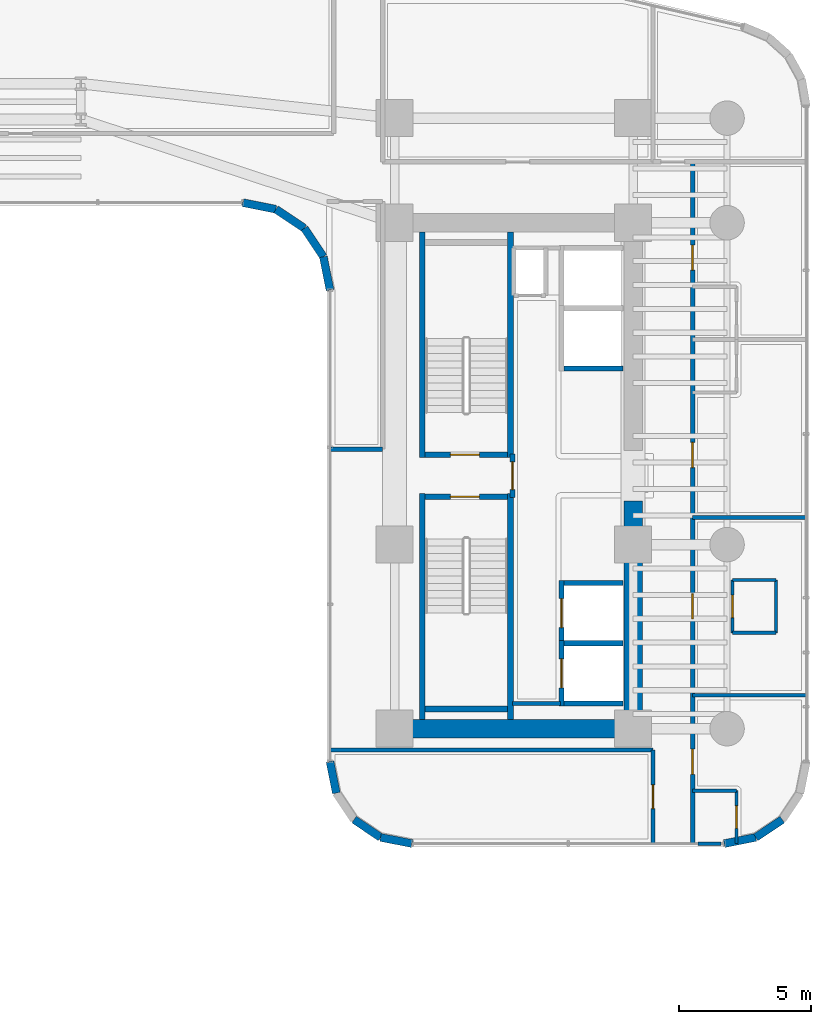
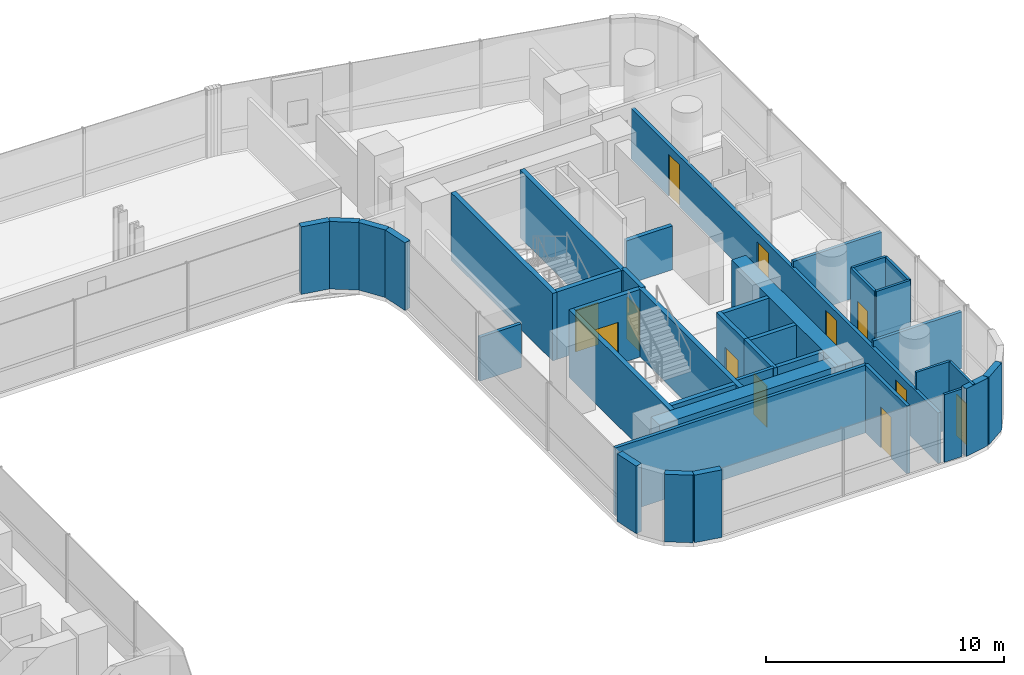
# One storey, part 31 of 39: 39 walls, 12 doors, 12 openings.
"""IFC4 building model written with IfcOpenShell, lengths in metres."""

from ifc_helpers import new_model, si_unit, direction, frame, frame_2d, origin, place, context, subcontext, project, spatial, rectangle, extrude, material, layer, layer_set, type_object, element, fill, save


model = new_model("IFC4")

# Units and contexts
model_context = context("Model", 3, precision=1e-05, world=origin(), true_north=direction((0.0, 1.0)))
body_context = subcontext(model_context, "Body", "Model", "MODEL_VIEW")
ifc_project = project(units=[si_unit("LENGTHUNIT", "METRE"), si_unit("AREAUNIT", "SQUARE_METRE"), si_unit("VOLUMEUNIT", "CUBIC_METRE"), si_unit("PLANEANGLEUNIT", "RADIAN"), si_unit("MASSUNIT", "GRAM", prefix="KILO")], contexts=[model_context])

# Site, building, storey
site_placement = place(None, origin())
site = spatial("IfcSite", under=ifc_project, at=site_placement, CompositionType="ELEMENT")
building_placement = place(site_placement, origin())
building = spatial("IfcBuilding", under=site, at=building_placement, Name="Valdorenza Pilgrim Sanctuary Tower", CompositionType="ELEMENT")
storey_placement = place(building_placement, frame((0.0, 0.0, 74.10009765625)))
storey = spatial("IfcBuildingStorey", under=building, at=storey_placement, Name="L18", CompositionType="ELEMENT", Elevation=74.10009765625)

# Wall
ifc_material_1 = material(Name="Acoustic twin-stud gypsum partition", Category="gypsum")
ifc_layer_1 = layer(ifc_material_1, 0.159912109375, Name="Acoustic twin-stud gypsum partition")
ifc_layer_set_1 = layer_set([ifc_layer_1], Name="Acoustic twin-stud gypsum partition")
wall_type_1 = type_object("IfcWallType", Name="WAL-COR-160", PredefinedType="PARTITIONING", material=ifc_layer_set_1)
wall_1_placement = place(storey_placement, frame((20.300048828125, -8.60009765625, 0.0), z_axis=(0.0, 0.0, 1.0), x_axis=(1.0, 0.0, 0.0)))
element("IfcWall", 1, at=wall_1_placement, inside=storey, type_object=wall_type_1, Name="L18 Core B Lift Hall South End Wall", PredefinedType="PARTITIONING", context=body_context, shape_type="SweptSolid", body=[
    extrude(rectangle(XDim=1.820068359375, YDim=0.159912109375, at=frame_2d((0.91015625, 0.0))), origin(), (0.0, 0.0, 1.0), 3.4599609375),
])

# Wall, opening, door
wall_2_placement = place(storey_placement, frame((25.60009765625, -13.889892578125, 0.0), z_axis=(0.0, 0.0, 1.0), x_axis=(0.0, 1.0, 0.0)))
wall_2 = element("IfcWall", 2, at=wall_2_placement, inside=storey, type_object=wall_type_1, Name="L18 Wing B South-East Corridor Wall", PredefinedType="PARTITIONING", context=body_context, shape_type="SweptSolid", body=[
    extrude(rectangle(XDim=3.539794921875, YDim=0.159912109375, at=frame_2d((1.77001953125, 0.0))), origin(), (0.0, 0.0, 1.0), 3.4599609375),
])
opening_1_placement = place(wall_2_placement, frame((1.320068359375, 0.0, 0.0)))
opening_1 = element("IfcOpeningElement", 3, at=opening_1_placement, cuts=wall_2, Name="Opening DR-RM1", PredefinedType="OPENING", context=body_context, shape_type="SweptSolid", body=[
    extrude(rectangle(XDim=0.89990234375, YDim=2.10009765625, at=frame_2d((0.449951171875, 1.050048828125))), frame((0.0, 0.0947265625, 0.0), z_axis=(0.0, -1.0, 0.0), x_axis=(1.0, 0.0, 0.0)), (0.0, 0.0, 1.0), 0.189697265625),
])
ifc_material_2 = material(Name="Solid-core European oak timber", Category="wood")
door_type_1 = type_object("IfcDoorType", Name="DR-ROOM-900", OperationType="NOTDEFINED", PredefinedType="DOOR", material=ifc_material_2)
door_1_placement = place(opening_1_placement, origin())
door_1 = element("IfcDoor", 4, at=door_1_placement, inside=storey, type_object=door_type_1, Name="L18 Theological Reference Library L18-BS Door", OperationType="SINGLE_SWING_RIGHT", OverallHeight=2.10009765625, OverallWidth=0.89990234375, PredefinedType="DOOR", context=body_context, shape_type="SweptSolid", body=[
    extrude(rectangle(XDim=0.89990234375, YDim=2.10009765625, at=frame_2d((0.449951171875, 1.050048828125))), frame((0.0, 0.02490234375, 0.0), z_axis=(0.0, -1.0, 0.0), x_axis=(1.0, 0.0, 0.0)), (0.0, 0.0, 1.0), 0.050048828125),
])
fill(opening_1, door_1)

# Wall
wall_3_placement = place(storey_placement, frame((13.409912109375, -10.35009765625, 0.0), z_axis=(0.0, 0.0, 1.0), x_axis=(1.0, 0.0, 0.0)))
element("IfcWall", 5, at=wall_3_placement, inside=storey, type_object=wall_type_1, Name="L18 Wing B South North Wall", PredefinedType="PARTITIONING", context=body_context, shape_type="SweptSolid", body=[
    extrude(rectangle(XDim=12.190185546875, YDim=0.159912109375, at=frame_2d((6.09521484375, 0.0))), origin(), (0.0, 0.0, 1.0), 3.4599609375),
])

# Wall, openings, doors
wall_4_placement = place(storey_placement, frame((27.10009765625, -13.889892578125, 0.0), z_axis=(0.0, 0.0, 1.0), x_axis=(0.0, 1.0, 0.0)))
wall_4 = element("IfcWall", 6, at=wall_4_placement, inside=storey, type_object=wall_type_1, Name="L18 Wing B East Corridor Wall", PredefinedType="PARTITIONING", context=body_context, shape_type="SweptSolid", body=[
    extrude(rectangle(XDim=25.739990234375, YDim=0.159912109375, at=frame_2d((12.8701171875, 0.0))), origin(), (0.0, 0.0, 1.0), 2.5830078125),
])
opening_2_placement = place(wall_4_placement, frame((2.6201171875, 0.0, 0.0)))
opening_2 = element("IfcOpeningElement", 7, at=opening_2_placement, cuts=wall_4, Name="Opening DR-UN1", PredefinedType="OPENING", context=body_context, shape_type="SweptSolid", body=[
    extrude(rectangle(XDim=0.949951171875, YDim=2.14990234375, at=frame_2d((0.47509765625, 1.074951171875))), frame((0.0, 0.0947265625, 0.0), z_axis=(0.0, -1.0, 0.0), x_axis=(1.0, 0.0, 0.0)), (0.0, 0.0, 1.0), 0.189697265625),
])
opening_3_placement = place(wall_4_placement, frame((8.48388671875, 0.0, 0.0)))
opening_3 = element("IfcOpeningElement", 8, at=opening_3_placement, cuts=wall_4, Name="Opening DR-UN1", PredefinedType="OPENING", context=body_context, shape_type="SweptSolid", body=[
    extrude(rectangle(XDim=0.949951171875, YDim=2.14990234375, at=frame_2d((0.47509765625, 1.074951171875))), frame((0.0, 0.0947265625, 0.0), z_axis=(0.0, -1.0, 0.0), x_axis=(1.0, 0.0, 0.0)), (0.0, 0.0, 1.0), 0.189697265625),
])
opening_4_placement = place(wall_4_placement, frame((14.197021484375, 0.0, 0.0)))
opening_4 = element("IfcOpeningElement", 9, at=opening_4_placement, cuts=wall_4, Name="Opening DR-UN1", PredefinedType="OPENING", context=body_context, shape_type="SweptSolid", body=[
    extrude(rectangle(XDim=0.949951171875, YDim=2.14990234375, at=frame_2d((0.47509765625, 1.074951171875))), frame((0.0, 0.0947265625, 0.0), z_axis=(0.0, -1.0, 0.0), x_axis=(1.0, 0.0, 0.0)), (0.0, 0.0, 1.0), 0.189697265625),
])
opening_5_placement = place(wall_4_placement, frame((21.64794921875, 0.0, 0.0)))
opening_5 = element("IfcOpeningElement", 10, at=opening_5_placement, cuts=wall_4, Name="Opening DR-UN1", PredefinedType="OPENING", context=body_context, shape_type="SweptSolid", body=[
    extrude(rectangle(XDim=0.949951171875, YDim=2.14990234375, at=frame_2d((0.47509765625, 1.074951171875))), frame((0.0, 0.0947265625, 0.0), z_axis=(0.0, -1.0, 0.0), x_axis=(1.0, 0.0, 0.0)), (0.0, 0.0, 1.0), 0.189697265625),
])
door_type_2 = type_object("IfcDoorType", Name="DR-UNIT-950", OperationType="NOTDEFINED", PredefinedType="DOOR", material=ifc_material_2)
door_2_placement = place(opening_2_placement, origin())
door_2 = element("IfcDoor", 11, at=door_2_placement, inside=storey, type_object=door_type_2, Name="L18 East Sanctuary Guest Room L18-EG1 Entrance Door", OperationType="SINGLE_SWING_RIGHT", OverallHeight=2.14990234375, OverallWidth=0.949951171875, PredefinedType="DOOR", context=body_context, shape_type="SweptSolid", body=[
    extrude(rectangle(XDim=0.949951171875, YDim=2.14990234375, at=frame_2d((0.47509765625, 1.074951171875))), frame((0.0, 0.02490234375, 0.0), z_axis=(0.0, -1.0, 0.0), x_axis=(1.0, 0.0, 0.0)), (0.0, 0.0, 1.0), 0.050048828125),
])
fill(opening_2, door_2)
door_3_placement = place(opening_3_placement, origin())
door_3 = element("IfcDoor", 12, at=door_3_placement, inside=storey, type_object=door_type_2, Name="L18 East Sanctuary Guest Room L18-EG2 Entrance Door", OperationType="SINGLE_SWING_RIGHT", OverallHeight=2.14990234375, OverallWidth=0.949951171875, PredefinedType="DOOR", context=body_context, shape_type="SweptSolid", body=[
    extrude(rectangle(XDim=0.949951171875, YDim=2.14990234375, at=frame_2d((0.47509765625, 1.074951171875))), frame((0.0, 0.02490234375, 0.0), z_axis=(0.0, -1.0, 0.0), x_axis=(1.0, 0.0, 0.0)), (0.0, 0.0, 1.0), 0.050048828125),
])
fill(opening_3, door_3)
door_4_placement = place(opening_4_placement, origin())
door_4 = element("IfcDoor", 13, at=door_4_placement, inside=storey, type_object=door_type_2, Name="L18 East Sanctuary Guest Room L18-EG3 Entrance Door", OperationType="SINGLE_SWING_RIGHT", OverallHeight=2.14990234375, OverallWidth=0.949951171875, PredefinedType="DOOR", context=body_context, shape_type="SweptSolid", body=[
    extrude(rectangle(XDim=0.949951171875, YDim=2.14990234375, at=frame_2d((0.47509765625, 1.074951171875))), frame((0.0, 0.02490234375, 0.0), z_axis=(0.0, -1.0, 0.0), x_axis=(1.0, 0.0, 0.0)), (0.0, 0.0, 1.0), 0.050048828125),
])
fill(opening_4, door_4)
door_5_placement = place(opening_5_placement, origin())
door_5 = element("IfcDoor", 14, at=door_5_placement, inside=storey, type_object=door_type_2, Name="L18 East Sanctuary Guest Room L18-EG4 Entrance Door", OperationType="SINGLE_SWING_RIGHT", OverallHeight=2.14990234375, OverallWidth=0.949951171875, PredefinedType="DOOR", context=body_context, shape_type="SweptSolid", body=[
    extrude(rectangle(XDim=0.949951171875, YDim=2.14990234375, at=frame_2d((0.47509765625, 1.074951171875))), frame((0.0, 0.02490234375, 0.0), z_axis=(0.0, -1.0, 0.0), x_axis=(1.0, 0.0, 0.0)), (0.0, 0.0, 1.0), 0.050048828125),
])
fill(opening_5, door_5)

# Walls
wall_5_placement = place(storey_placement, frame((13.409912109375, 1.0, 0.0), z_axis=(0.0, 0.0, 1.0), x_axis=(1.0, 0.0, 0.0)))
element("IfcWall", 15, at=wall_5_placement, inside=storey, type_object=wall_type_1, Name="L18 Courtyard Overlook South Wall", PredefinedType="PARTITIONING", context=body_context, shape_type="SweptSolid", body=[
    extrude(rectangle(XDim=1.989990234375, YDim=0.159912109375, at=frame_2d((0.9951171875, 0.0))), origin(), (0.0, 0.0, 1.0), 2.244873046875),
])
ifc_material_3 = material(Name="Concrete C60/75", Category="concrete")
ifc_layer_2 = layer(ifc_material_3, 0.699951171875, Name="Concrete C60/75")
ifc_layer_set_2 = layer_set([ifc_layer_2], Name="Concrete C60/75")
wall_type_2 = type_object("IfcWallType", Name="WAL-COR-700", PredefinedType="SHEAR", material=ifc_layer_set_2)
wall_6_placement = place(storey_placement, frame((24.85009765625, -9.89990234375, 0.0), z_axis=(0.0, 0.0, 1.0), x_axis=(0.0, 1.0, 0.0)))
element("IfcWall", 16, at=wall_6_placement, inside=storey, type_object=wall_type_2, Name="L18 Split Core B Shear Wall ES", PredefinedType="SHEAR", context=body_context, shape_type="SweptSolid", body=[
    extrude(rectangle(XDim=8.949951171875, YDim=0.699951171875, at=frame_2d((4.47509765625, 0.0))), origin(), (0.0, 0.0, 1.0), 3.4599609375),
])
wall_7_placement = place(storey_placement, frame((15.85009765625, -9.550048828125, 0.0), z_axis=(0.0, 0.0, 1.0), x_axis=(1.0, 0.0, 0.0)))
element("IfcWall", 17, at=wall_7_placement, inside=storey, type_object=wall_type_2, Name="L18 Split Core B Shear Wall S", PredefinedType="SHEAR", context=body_context, shape_type="SweptSolid", body=[
    extrude(rectangle(XDim=9.0, YDim=0.699951171875, at=frame_2d((4.5, 0.0))), origin(), (0.0, 0.0, 1.0), 3.4599609375),
])
ifc_material_4 = material(Name="Honed travertine limestone", Category="masonry")
ifc_layer_3 = layer(ifc_material_4, 0.300048828125, Name="Honed travertine limestone")
ifc_layer_set_3 = layer_set([ifc_layer_3], Name="Honed travertine limestone")
wall_type_3 = type_object("IfcWallType", Name="WAL-EXT-300", PredefinedType="SOLIDWALL", material=ifc_layer_set_3)
wall_8_placement = place(storey_placement, frame((30.4833984375, -12.9833984375, 0.0), z_axis=(0.0, 0.0, 1.0), x_axis=(-0.831426265255, -0.555635100982, 0.0)))
element("IfcWall", 18, at=wall_8_placement, inside=storey, type_object=wall_type_3, Name="L18 Rounded Wind-Corner Stone Pier 24", PredefinedType="SOLIDWALL", context=body_context, shape_type="SweptSolid", body=[
    extrude(rectangle(XDim=1.204833984375, YDim=0.300048828125, at=frame_2d((0.6025390625, 0.0))), origin(), (0.0, 0.0, 1.0), 3.4599609375),
])
for number, where, z_axis, x_axis, name in (
    (19, (29.481689453125, -13.65283203125, 0.0), (0.0, 0.0, 1.0), (-0.980804027463, -0.194996050505, 0.0), "L18 Rounded Wind-Corner Stone Pier 25"),
    (20, (16.5107421875, -13.889892578125, 0.0), (0.0, 0.0, 1.0), (-0.980804027463, 0.194996050505, 0.0), "L18 Rounded Wind-Corner Stone Pier 27"),
):
    element("IfcWall", number, at=place(storey_placement, frame(where, z_axis=z_axis, x_axis=x_axis)), inside=storey, type_object=wall_type_3, Name=name, PredefinedType="SOLIDWALL", context=body_context, shape_type="SweptSolid", body=[
        extrude(rectangle(XDim=1.2158203125, YDim=0.300048828125, at=frame_2d((0.60791015625, 0.0))), origin(), (0.0, 0.0, 1.0), 3.4599609375),
    ])
wall_9_placement = place(storey_placement, frame((15.318359375, -13.65283203125, 0.0), z_axis=(0.0, 0.0, 1.0), x_axis=(-0.831426265255, 0.555635100982, 0.0)))
element("IfcWall", 21, at=wall_9_placement, inside=storey, type_object=wall_type_3, Name="L18 Rounded Wind-Corner Stone Pier 28", PredefinedType="SOLIDWALL", context=body_context, shape_type="SweptSolid", body=[
    extrude(rectangle(XDim=1.204833984375, YDim=0.300048828125, at=frame_2d((0.6025390625, 0.0))), origin(), (0.0, 0.0, 1.0), 3.4599609375),
])
wall_10_placement = place(storey_placement, frame((13.647216796875, -11.981689453125, 0.0), z_axis=(0.0, 0.0, 1.0), x_axis=(-0.195189223115, 0.980765602568, 0.0)))
element("IfcWall", 22, at=wall_10_placement, inside=storey, type_object=wall_type_3, Name="L18 Rounded Wind-Corner Stone Pier 30", PredefinedType="SOLIDWALL", context=body_context, shape_type="SweptSolid", body=[
    extrude(rectangle(XDim=1.2158203125, YDim=0.300048828125, at=frame_2d((0.60791015625, 0.0))), origin(), (0.0, 0.0, 1.0), 3.4599609375),
])
wall_11_placement = place(storey_placement, frame((13.409912109375, 7.0107421875, 0.0), z_axis=(0.0, 0.0, 1.0), x_axis=(-0.195090163074, 0.980785312019, 0.0)))
element("IfcWall", 23, at=wall_11_placement, inside=storey, type_object=wall_type_3, Name="L18 Rounded Wind-Corner Stone Pier 32", PredefinedType="SOLIDWALL", context=body_context, shape_type="SweptSolid", body=[
    extrude(rectangle(XDim=1.281494140625, YDim=0.300048828125, at=frame_2d((0.640625, 0.0))), origin(), (0.0, 0.0, 1.0), 3.4599609375),
])
for number, where, z_axis, x_axis, name in (
    (24, (13.159912109375, 8.267578125, 0.0), (0.0, 0.0, 1.0), (-0.555615398575, 0.831439431869, 0.0), "L18 Rounded Wind-Corner Stone Pier 33"),
    (25, (12.44189453125, 9.342041015625, 0.0), (0.0, 0.0, 1.0), (-0.831439431869, 0.555615398575, 0.0), "L18 Rounded Wind-Corner Stone Pier 34"),
):
    element("IfcWall", number, at=place(storey_placement, frame(where, z_axis=z_axis, x_axis=x_axis)), inside=storey, type_object=wall_type_3, Name=name, PredefinedType="SOLIDWALL", context=body_context, shape_type="SweptSolid", body=[
        extrude(rectangle(XDim=1.292236328125, YDim=0.300048828125, at=frame_2d((0.64599609375, 0.0))), origin(), (0.0, 0.0, 1.0), 3.4599609375),
    ])
wall_12_placement = place(storey_placement, frame((11.367431640625, 10.06005859375, 0.0), z_axis=(0.0, 0.0, 1.0), x_axis=(-0.980778058848, 0.195126623715, 0.0)))
element("IfcWall", 26, at=wall_12_placement, inside=storey, type_object=wall_type_3, Name="L18 Rounded Wind-Corner Stone Pier 35", PredefinedType="SOLIDWALL", context=body_context, shape_type="SweptSolid", body=[
    extrude(rectangle(XDim=1.28125, YDim=0.300048828125, at=frame_2d((0.640625, 0.0))), origin(), (0.0, 0.0, 1.0), 3.4599609375),
])

# Wall, opening, door
ifc_material_5 = material(Name="Gypsum shaftwall partition", Category="gypsum")
ifc_layer_4 = layer(ifc_material_5, 0.199951171875, Name="Gypsum shaftwall partition")
ifc_layer_set_4 = layer_set([ifc_layer_4], Name="Gypsum shaftwall partition")
wall_type_4 = type_object("IfcWallType", Name="WAL-FFL-200", PredefinedType="PARTITIONING", material=ifc_layer_set_4)
wall_13_placement = place(storey_placement, frame((20.300048828125, -0.820068359375, 0.0), z_axis=(0.0, 0.0, 1.0), x_axis=(0.0, 1.0, 0.0)))
wall_13 = element("IfcWall", 27, at=wall_13_placement, inside=storey, type_object=wall_type_4, Name="L18 Core B Firefighting Lobby East Wall", PredefinedType="PARTITIONING", context=body_context, shape_type="SweptSolid", body=[
    extrude(rectangle(XDim=1.64013671875, YDim=0.199951171875, at=frame_2d((0.820068359375, 0.0))), origin(), (0.0, 0.0, 1.0), 3.4599609375),
])
opening_6_placement = place(wall_13_placement, frame((0.294921875, 0.0, 0.0)))
opening_6 = element("IfcOpeningElement", 28, at=opening_6_placement, cuts=wall_13, Name="Opening DR-FL1", PredefinedType="OPENING", context=body_context, shape_type="SweptSolid", body=[
    extrude(rectangle(XDim=1.050048828125, YDim=2.14990234375, at=frame_2d((0.52490234375, 1.074951171875))), frame((0.0, 0.11474609375, 0.0), z_axis=(0.0, -1.0, 0.0), x_axis=(1.0, 0.0, 0.0)), (0.0, 0.0, 1.0), 0.229736328125),
])
ifc_material_6 = material(Name="Painted galvanized steel", Category="steel")
door_type_3 = type_object("IfcDoorType", Name="DR-FFL-1050", OperationType="NOTDEFINED", PredefinedType="DOOR", material=ifc_material_6)
door_6_placement = place(opening_6_placement, origin())
door_6 = element("IfcDoor", 29, at=door_6_placement, inside=storey, type_object=door_type_3, Name="L18 Core B Firefighting Lobby Door", OperationType="SINGLE_SWING_RIGHT", OverallHeight=2.14990234375, OverallWidth=1.050048828125, PredefinedType="DOOR", context=body_context, shape_type="SweptSolid", body=[
    extrude(rectangle(XDim=1.050048828125, YDim=2.14990234375, at=frame_2d((0.52490234375, 1.074951171875))), frame((0.0, 0.02490234375, 0.0), z_axis=(0.0, -1.0, 0.0), x_axis=(1.0, 0.0, 0.0)), (0.0, 0.0, 1.0), 0.050048828125),
])
fill(opening_6, door_6)

# Wall
ifc_material_7 = material(Name="Moisture-resistant gypsum partition", Category="gypsum")
ifc_layer_5 = layer(ifc_material_7, 0.1201171875, Name="Moisture-resistant gypsum partition")
ifc_layer_set_5 = layer_set([ifc_layer_5], Name="Moisture-resistant gypsum partition")
wall_type_5 = type_object("IfcWallType", Name="WAL-INT-120", PredefinedType="PARTITIONING", material=ifc_layer_set_5)
wall_14_placement = place(storey_placement, frame((27.10009765625, -11.889892578125, 0.0), z_axis=(0.0, 0.0, 1.0), x_axis=(1.0, 0.0, 0.0)))
element("IfcWall", 30, at=wall_14_placement, inside=storey, type_object=wall_type_5, Name="L18 East Sanctuary Guest Room L18-EG1 En-suite North Wall", PredefinedType="PARTITIONING", context=body_context, shape_type="SweptSolid", body=[
    extrude(rectangle(XDim=1.64990234375, YDim=0.1201171875, at=frame_2d((0.824951171875, 0.0))), origin(), (0.0, 0.0, 1.0), 3.4599609375),
])

# Wall, opening, door
wall_15_placement = place(storey_placement, frame((28.75, -13.889892578125, 0.0), z_axis=(0.0, 0.0, 1.0), x_axis=(0.0, 1.0, 0.0)))
wall_15 = element("IfcWall", 31, at=wall_15_placement, inside=storey, type_object=wall_type_5, Name="L18 East Sanctuary Guest Room L18-EG1 En-suite Door Wall", PredefinedType="PARTITIONING", context=body_context, shape_type="SweptSolid", body=[
    extrude(rectangle(XDim=2.0, YDim=0.1201171875, at=frame_2d((1.0, 0.0))), origin(), (0.0, 0.0, 1.0), 3.4599609375),
])
opening_7_placement = place(wall_15_placement, frame((0.574951171875, 0.0, 0.0)))
opening_7 = element("IfcOpeningElement", 32, at=opening_7_placement, cuts=wall_15, Name="Opening DR-WC1", PredefinedType="OPENING", context=body_context, shape_type="SweptSolid", body=[
    extrude(rectangle(XDim=0.85009765625, YDim=2.10009765625, at=frame_2d((0.425048828125, 1.050048828125))), frame((0.0, 0.074951171875, 0.0), z_axis=(0.0, -1.0, 0.0), x_axis=(1.0, 0.0, 0.0)), (0.0, 0.0, 1.0), 0.14990234375),
])
ifc_material_8 = material(Name="Moisture-resistant lacquered timber", Category="wood")
door_type_4 = type_object("IfcDoorType", Name="DR-BATH-850", OperationType="NOTDEFINED", PredefinedType="DOOR", material=ifc_material_8)
door_7_placement = place(opening_7_placement, origin())
door_7 = element("IfcDoor", 33, at=door_7_placement, inside=storey, type_object=door_type_4, Name="L18 East Sanctuary Guest Room L18-EG1 En-suite Bathroom Door", OperationType="SINGLE_SWING_LEFT", OverallHeight=2.10009765625, OverallWidth=0.85009765625, PredefinedType="DOOR", context=body_context, shape_type="SweptSolid", body=[
    extrude(rectangle(XDim=0.85009765625, YDim=2.10009765625, at=frame_2d((0.425048828125, 1.050048828125))), frame((0.0, 0.02490234375, 0.0), z_axis=(0.0, -1.0, 0.0), x_axis=(1.0, 0.0, 0.0)), (0.0, 0.0, 1.0), 0.050048828125),
])
fill(opening_7, door_7)

# Walls
wall_16_placement = place(storey_placement, frame((27.300048828125, -13.889892578125, 0.0), z_axis=(0.0, 0.0, 1.0), x_axis=(1.0, 0.0, 0.0)))
element("IfcWall", 34, at=wall_16_placement, inside=storey, type_object=wall_type_5, Name="L18 WB-EG1-ENS Enclosure Wall S", PredefinedType="PARTITIONING", context=body_context, shape_type="SweptSolid", body=[
    extrude(rectangle(XDim=0.86669921875, YDim=0.1201171875, at=frame_2d((0.433349609375, 0.0))), origin(), (0.0, 0.0, 1.0), 3.4599609375),
])
for number, where, z_axis, x_axis, name in (
    (35, (28.60009765625, -5.930908203125, 0.0), (0.0, 0.0, 1.0), (1.0, 0.0, 0.0), "L18 East Sanctuary Guest Room L18-EG2 En-suite South Wall"),
    (36, (28.60009765625, -3.930908203125, 0.0), (0.0, 0.0, 1.0), (1.0, 0.0, 0.0), "L18 East Sanctuary Guest Room L18-EG2 En-suite North Wall"),
):
    element("IfcWall", number, at=place(storey_placement, frame(where, z_axis=z_axis, x_axis=x_axis)), inside=storey, type_object=wall_type_5, Name=name, PredefinedType="PARTITIONING", context=body_context, shape_type="SweptSolid", body=[
        extrude(rectangle(XDim=1.64990234375, YDim=0.1201171875, at=frame_2d((0.824951171875, 0.0))), origin(), (0.0, 0.0, 1.0), 3.4599609375),
    ])
wall_17_placement = place(storey_placement, frame((30.25, -5.930908203125, 0.0), z_axis=(0.0, 0.0, 1.0), x_axis=(0.0, 1.0, 0.0)))
element("IfcWall", 37, at=wall_17_placement, inside=storey, type_object=wall_type_5, Name="L18 East Sanctuary Guest Room L18-EG2 En-suite Back Wall", PredefinedType="PARTITIONING", context=body_context, shape_type="SweptSolid", body=[
    extrude(rectangle(XDim=2.0, YDim=0.1201171875, at=frame_2d((1.0, 0.0))), origin(), (0.0, 0.0, 1.0), 3.4599609375),
])

# Wall, opening, door
wall_18_placement = place(storey_placement, frame((28.60009765625, -5.930908203125, 0.0), z_axis=(0.0, 0.0, 1.0), x_axis=(0.0, 1.0, 0.0)))
wall_18 = element("IfcWall", 38, at=wall_18_placement, inside=storey, type_object=wall_type_5, Name="L18 East Sanctuary Guest Room L18-EG2 En-suite Door Wall", PredefinedType="PARTITIONING", context=body_context, shape_type="SweptSolid", body=[
    extrude(rectangle(XDim=2.0, YDim=0.1201171875, at=frame_2d((1.0, 0.0))), origin(), (0.0, 0.0, 1.0), 3.4599609375),
])
opening_8_placement = place(wall_18_placement, frame((0.574951171875, 0.0, 0.0)))
opening_8 = element("IfcOpeningElement", 39, at=opening_8_placement, cuts=wall_18, Name="Opening DR-WC1", PredefinedType="OPENING", context=body_context, shape_type="SweptSolid", body=[
    extrude(rectangle(XDim=0.85009765625, YDim=2.10009765625, at=frame_2d((0.425048828125, 1.050048828125))), frame((0.0, 0.074951171875, 0.0), z_axis=(0.0, -1.0, 0.0), x_axis=(1.0, 0.0, 0.0)), (0.0, 0.0, 1.0), 0.14990234375),
])
door_8_placement = place(opening_8_placement, origin())
door_8 = element("IfcDoor", 40, at=door_8_placement, inside=storey, type_object=door_type_4, Name="L18 East Sanctuary Guest Room L18-EG2 En-suite Bathroom Door", OperationType="SINGLE_SWING_LEFT", OverallHeight=2.10009765625, OverallWidth=0.85009765625, PredefinedType="DOOR", context=body_context, shape_type="SweptSolid", body=[
    extrude(rectangle(XDim=0.85009765625, YDim=2.10009765625, at=frame_2d((0.425048828125, 1.050048828125))), frame((0.0, 0.02490234375, 0.0), z_axis=(0.0, -1.0, 0.0), x_axis=(1.0, 0.0, 0.0)), (0.0, 0.0, 1.0), 0.050048828125),
])
fill(opening_8, door_8)

ifc_material_9 = material(Name="Autoclaved aerated concrete blockwork", Category="masonry")
ifc_layer_6 = layer(ifc_material_9, 0.199951171875, Name="Autoclaved aerated concrete blockwork")
ifc_layer_set_6 = layer_set([ifc_layer_6], Name="Autoclaved aerated concrete blockwork")
wall_type_6 = type_object("IfcWallType", Name="WAL-SHF-200", PredefinedType="MOVABLE", material=ifc_layer_set_6)
wall_19_placement = place(storey_placement, frame((22.14990234375, -8.699951171875, 0.0), z_axis=(0.0, 0.0, 1.0), x_axis=(0.0, 1.0, 0.0)))
wall_19 = element("IfcWall", 41, at=wall_19_placement, inside=storey, type_object=wall_type_6, Name="L18 Lift PL-03 Hoistway Wall West", PredefinedType="MOVABLE", context=body_context, shape_type="SweptSolid", body=[
    extrude(rectangle(XDim=2.474853515625, YDim=0.199951171875, at=frame_2d((1.2373046875, 0.0))), origin(), (0.0, 0.0, 1.0), 3.4599609375),
])
opening_9_placement = place(wall_19_placement, frame((0.6875, 0.0, 0.0)))
opening_9 = element("IfcOpeningElement", 42, at=opening_9_placement, cuts=wall_19, Name="Opening LD-01", PredefinedType="OPENING", context=body_context, shape_type="SweptSolid", body=[
    extrude(rectangle(XDim=1.10009765625, YDim=2.10009765625, at=frame_2d((0.550048828125, 1.050048828125))), frame((0.0, 0.11474609375, 0.0), z_axis=(0.0, -1.0, 0.0), x_axis=(1.0, 0.0, 0.0)), (0.0, 0.0, 1.0), 0.229736328125),
])
ifc_material_10 = material(Name="Brushed stainless steel Grade 316", Category="steel")
door_type_5 = type_object("IfcDoorType", Name="DR-LFT-1100", OperationType="DOUBLE_DOOR_SLIDING", PredefinedType="DOOR", material=ifc_material_10)
door_9_placement = place(opening_9_placement, origin())
door_9 = element("IfcDoor", 43, at=door_9_placement, inside=storey, type_object=door_type_5, Name="L18 Lift PL-03 Sliding Landing Door", OperationType="DOUBLE_DOOR_SLIDING", OverallHeight=2.10009765625, OverallWidth=1.10009765625, PredefinedType="DOOR", context=body_context, shape_type="SweptSolid", body=[
    extrude(rectangle(XDim=1.10009765625, YDim=2.10009765625, at=frame_2d((0.550048828125, 1.050048828125))), frame((0.0, 0.02490234375, 0.0), z_axis=(0.0, -1.0, 0.0), x_axis=(1.0, 0.0, 0.0)), (0.0, 0.0, 1.0), 0.050048828125),
])
fill(opening_9, door_9)

# Walls
for number, where, z_axis, x_axis, name in (
    (44, (22.25, -8.60009765625, 0.0), (0.0, 0.0, 1.0), (1.0, 0.0, 0.0), "L18 Lift PL-03 Hoistway Wall South"),
    (45, (22.25, -6.324951171875, 0.0), (0.0, 0.0, 1.0), (1.0, 0.0, 0.0), "L18 Lift PL-03 Hoistway Wall North"),
):
    element("IfcWall", number, at=place(storey_placement, frame(where, z_axis=z_axis, x_axis=x_axis)), inside=storey, type_object=wall_type_6, Name=name, PredefinedType="MOVABLE", context=body_context, shape_type="SweptSolid", body=[
        extrude(rectangle(XDim=2.22998046875, YDim=0.199951171875, at=frame_2d((1.114990234375, 0.0))), origin(), (0.0, 0.0, 1.0), 3.4599609375),
    ])

# Wall, opening, door
wall_20_placement = place(storey_placement, frame((22.14990234375, -6.425048828125, 0.0), z_axis=(0.0, 0.0, 1.0), x_axis=(0.0, 1.0, 0.0)))
wall_20 = element("IfcWall", 46, at=wall_20_placement, inside=storey, type_object=wall_type_6, Name="L18 Lift PL-04 Hoistway Wall West", PredefinedType="MOVABLE", context=body_context, shape_type="SweptSolid", body=[
    extrude(rectangle(XDim=2.47509765625, YDim=0.199951171875, at=frame_2d((1.237548828125, 0.0))), origin(), (0.0, 0.0, 1.0), 3.4599609375),
])
opening_10_placement = place(wall_20_placement, frame((0.6875, 0.0, 0.0)))
opening_10 = element("IfcOpeningElement", 47, at=opening_10_placement, cuts=wall_20, Name="Opening LD-01", PredefinedType="OPENING", context=body_context, shape_type="SweptSolid", body=[
    extrude(rectangle(XDim=1.10009765625, YDim=2.10009765625, at=frame_2d((0.550048828125, 1.050048828125))), frame((0.0, 0.11474609375, 0.0), z_axis=(0.0, -1.0, 0.0), x_axis=(1.0, 0.0, 0.0)), (0.0, 0.0, 1.0), 0.229736328125),
])
door_10_placement = place(opening_10_placement, origin())
door_10 = element("IfcDoor", 48, at=door_10_placement, inside=storey, type_object=door_type_5, Name="L18 Lift PL-04 Sliding Landing Door", OperationType="DOUBLE_DOOR_SLIDING", OverallHeight=2.10009765625, OverallWidth=1.10009765625, PredefinedType="DOOR", context=body_context, shape_type="SweptSolid", body=[
    extrude(rectangle(XDim=1.10009765625, YDim=2.10009765625, at=frame_2d((0.550048828125, 1.050048828125))), frame((0.0, 0.02490234375, 0.0), z_axis=(0.0, -1.0, 0.0), x_axis=(1.0, 0.0, 0.0)), (0.0, 0.0, 1.0), 0.050048828125),
])
fill(opening_10, door_10)

# Walls
wall_21_placement = place(storey_placement, frame((22.25, -4.050048828125, 0.0), z_axis=(0.0, 0.0, 1.0), x_axis=(1.0, 0.0, 0.0)))
element("IfcWall", 49, at=wall_21_placement, inside=storey, type_object=wall_type_6, Name="L18 Lift PL-04 Hoistway Wall North", PredefinedType="MOVABLE", context=body_context, shape_type="SweptSolid", body=[
    extrude(rectangle(XDim=2.22998046875, YDim=0.199951171875, at=frame_2d((1.114990234375, 0.0))), origin(), (0.0, 0.0, 1.0), 3.4599609375),
])
wall_22_placement = place(storey_placement, frame((22.25, 4.050048828125, 0.0), z_axis=(0.0, 0.0, 1.0), x_axis=(1.0, 0.0, 0.0)))
element("IfcWall", 50, at=wall_22_placement, inside=storey, type_object=wall_type_6, Name="L18 Lift PL-07 Hoistway Wall South", PredefinedType="MOVABLE", context=body_context, shape_type="SweptSolid", body=[
    extrude(rectangle(XDim=2.22998046875, YDim=0.199951171875, at=frame_2d((1.114990234375, 0.0))), origin(), (0.0, 0.0, 1.0), 2.244873046875),
])
ifc_material_11 = material(Name="Concrete C40/50", Category="concrete")
ifc_layer_7 = layer(ifc_material_11, 0.219970703125, Name="Concrete C40/50")
ifc_layer_set_7 = layer_set([ifc_layer_7], Name="Concrete C40/50")
wall_type_7 = type_object("IfcWallType", Name="WAL-STR-SHF-220", PredefinedType="SHEAR", material=ifc_layer_set_7)
for number, where, z_axis, x_axis, name in (
    (51, (16.889892578125, 0.679931640625, 0.0), (0.0, 0.0, 1.0), (0.0, 1.0, 0.0), "L18 ST-B1 Structural Stairwell Wall W"),
    (52, (20.219970703125, 0.679931640625, 0.0), (0.0, 0.0, 1.0), (0.0, 1.0, 0.0), "L18 ST-B1 Structural Stairwell Wall E"),
):
    element("IfcWall", number, at=place(storey_placement, frame(where, z_axis=z_axis, x_axis=x_axis)), inside=storey, type_object=wall_type_7, Name=name, PredefinedType="SHEAR", context=body_context, shape_type="SweptSolid", body=[
        extrude(rectangle(XDim=8.52001953125, YDim=0.219970703125, at=frame_2d((4.260009765625, 0.0))), origin(), (0.0, 0.0, 1.0), 3.4599609375),
    ])

# Wall, opening, door
wall_23_placement = place(storey_placement, frame((17.0, 0.7900390625, 0.0), z_axis=(0.0, 0.0, 1.0), x_axis=(1.0, 0.0, 0.0)))
wall_23 = element("IfcWall", 53, at=wall_23_placement, inside=storey, type_object=wall_type_7, Name="L18 ST-B1 Structural Stairwell Wall S", PredefinedType="SHEAR", context=body_context, shape_type="SweptSolid", body=[
    extrude(rectangle(XDim=3.110107421875, YDim=0.219970703125, at=frame_2d((1.55517578125, 0.0))), origin(), (0.0, 0.0, 1.0), 3.4599609375),
])
opening_11_placement = place(wall_23_placement, frame((0.949951171875, 0.0, 0.0)))
opening_11 = element("IfcOpeningElement", 54, at=opening_11_placement, cuts=wall_23, Name="Opening DR-ST1", PredefinedType="OPENING", context=body_context, shape_type="SweptSolid", body=[
    extrude(rectangle(XDim=1.10009765625, YDim=2.14990234375, at=frame_2d((0.550048828125, 1.074951171875))), frame((0.0, 0.125, 0.0), z_axis=(0.0, -1.0, 0.0), x_axis=(1.0, 0.0, 0.0)), (0.0, 0.0, 1.0), 0.249755859375),
])
door_type_6 = type_object("IfcDoorType", Name="DR-STAIR-1100", OperationType="NOTDEFINED", PredefinedType="DOOR", material=ifc_material_6)
door_11_placement = place(opening_11_placement, frame((1.10009765625, 0.0, 0.0), z_axis=(0.0, 0.0, 1.0), x_axis=(-1.0, 0.0, 0.0)))
door_11 = element("IfcDoor", 55, at=door_11_placement, inside=storey, type_object=door_type_6, Name="L18 Exit Stair ST-B1 Door", OperationType="SINGLE_SWING_LEFT", OverallHeight=2.14990234375, OverallWidth=1.10009765625, PredefinedType="DOOR", context=body_context, shape_type="SweptSolid", body=[
    extrude(rectangle(XDim=1.10009765625, YDim=2.14990234375, at=frame_2d((0.550048828125, 1.074951171875))), frame((0.0, 0.02490234375, 0.0), z_axis=(0.0, -1.0, 0.0), x_axis=(1.0, 0.0, 0.0)), (0.0, 0.0, 1.0), 0.050048828125),
])
fill(opening_11, door_11)

# Walls
for number, where, z_axis, x_axis, name in (
    (56, (16.889892578125, -9.199951171875, 0.0), (0.0, 0.0, 1.0), (0.0, 1.0, 0.0), "L18 ST-B2 Structural Stairwell Wall W"),
    (57, (20.219970703125, -9.199951171875, 0.0), (0.0, 0.0, 1.0), (0.0, 1.0, 0.0), "L18 ST-B2 Structural Stairwell Wall E"),
):
    element("IfcWall", number, at=place(storey_placement, frame(where, z_axis=z_axis, x_axis=x_axis)), inside=storey, type_object=wall_type_7, Name=name, PredefinedType="SHEAR", context=body_context, shape_type="SweptSolid", body=[
        extrude(rectangle(XDim=8.52001953125, YDim=0.219970703125, at=frame_2d((4.260009765625, 0.0))), origin(), (0.0, 0.0, 1.0), 3.4599609375),
    ])
wall_24_placement = place(storey_placement, frame((17.0, -8.81005859375, 0.0), z_axis=(0.0, 0.0, 1.0), x_axis=(1.0, 0.0, 0.0)))
element("IfcWall", 58, at=wall_24_placement, inside=storey, type_object=wall_type_7, Name="L18 ST-B2 Structural Stairwell Wall S", PredefinedType="SHEAR", context=body_context, shape_type="SweptSolid", body=[
    extrude(rectangle(XDim=3.110107421875, YDim=0.219970703125, at=frame_2d((1.55517578125, 0.0))), origin(), (0.0, 0.0, 1.0), 3.4599609375),
])

# Wall, opening, door
wall_25_placement = place(storey_placement, frame((17.0, -0.7900390625, 0.0), z_axis=(0.0, 0.0, 1.0), x_axis=(1.0, 0.0, 0.0)))
wall_25 = element("IfcWall", 59, at=wall_25_placement, inside=storey, type_object=wall_type_7, Name="L18 ST-B2 Structural Stairwell Wall N", PredefinedType="SHEAR", context=body_context, shape_type="SweptSolid", body=[
    extrude(rectangle(XDim=3.110107421875, YDim=0.219970703125, at=frame_2d((1.55517578125, 0.0))), origin(), (0.0, 0.0, 1.0), 3.4599609375),
])
opening_12_placement = place(wall_25_placement, frame((0.949951171875, 0.0, 0.0)))
opening_12 = element("IfcOpeningElement", 60, at=opening_12_placement, cuts=wall_25, Name="Opening DR-ST1", PredefinedType="OPENING", context=body_context, shape_type="SweptSolid", body=[
    extrude(rectangle(XDim=1.10009765625, YDim=2.14990234375, at=frame_2d((0.550048828125, 1.074951171875))), frame((0.0, 0.125, 0.0), z_axis=(0.0, -1.0, 0.0), x_axis=(1.0, 0.0, 0.0)), (0.0, 0.0, 1.0), 0.249755859375),
])
door_12_placement = place(opening_12_placement, origin())
door_12 = element("IfcDoor", 61, at=door_12_placement, inside=storey, type_object=door_type_6, Name="L18 Exit Stair ST-B2 Door", OperationType="SINGLE_SWING_RIGHT", OverallHeight=2.14990234375, OverallWidth=1.10009765625, PredefinedType="DOOR", context=body_context, shape_type="SweptSolid", body=[
    extrude(rectangle(XDim=1.10009765625, YDim=2.14990234375, at=frame_2d((0.550048828125, 1.074951171875))), frame((0.0, 0.02490234375, 0.0), z_axis=(0.0, -1.0, 0.0), x_axis=(1.0, 0.0, 0.0)), (0.0, 0.0, 1.0), 0.050048828125),
])
fill(opening_12, door_12)

# Walls
ifc_layer_8 = layer(ifc_material_1, 0.14990234375, Name="Acoustic twin-stud gypsum partition")
ifc_layer_set_8 = layer_set([ifc_layer_8], Name="Acoustic twin-stud gypsum partition")
wall_type_8 = type_object("IfcWallType", Name="WAL-UNT-150", PredefinedType="PARTITIONING", material=ifc_layer_set_8)
for number, where, z_axis, x_axis, name in (
    (62, (27.10009765625, -8.287109375, 0.0), (0.0, 0.0, 1.0), (1.0, 0.0, 0.0), "L18 East Wing Guest Demising 1"),
    (63, (27.10009765625, -1.574951171875, 0.0), (0.0, 0.0, 1.0), (1.0, 0.0, 0.0), "L18 East Wing Guest Demising 2"),
):
    element("IfcWall", number, at=place(storey_placement, frame(where, z_axis=z_axis, x_axis=x_axis)), inside=storey, type_object=wall_type_8, Name=name, PredefinedType="PARTITIONING", context=body_context, shape_type="SweptSolid", body=[
        extrude(rectangle(XDim=4.289794921875, YDim=0.14990234375, at=frame_2d((2.14501953125, 0.0))), origin(), (0.0, 0.0, 1.0), 2.89599609375),
    ])

save(model, "model.ifc")
